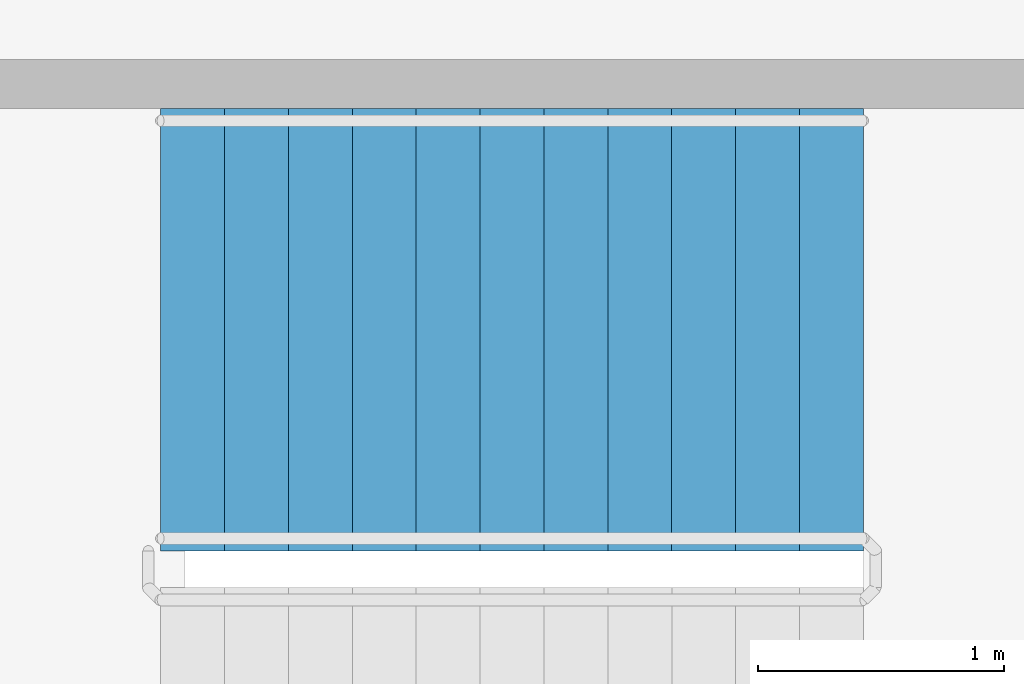
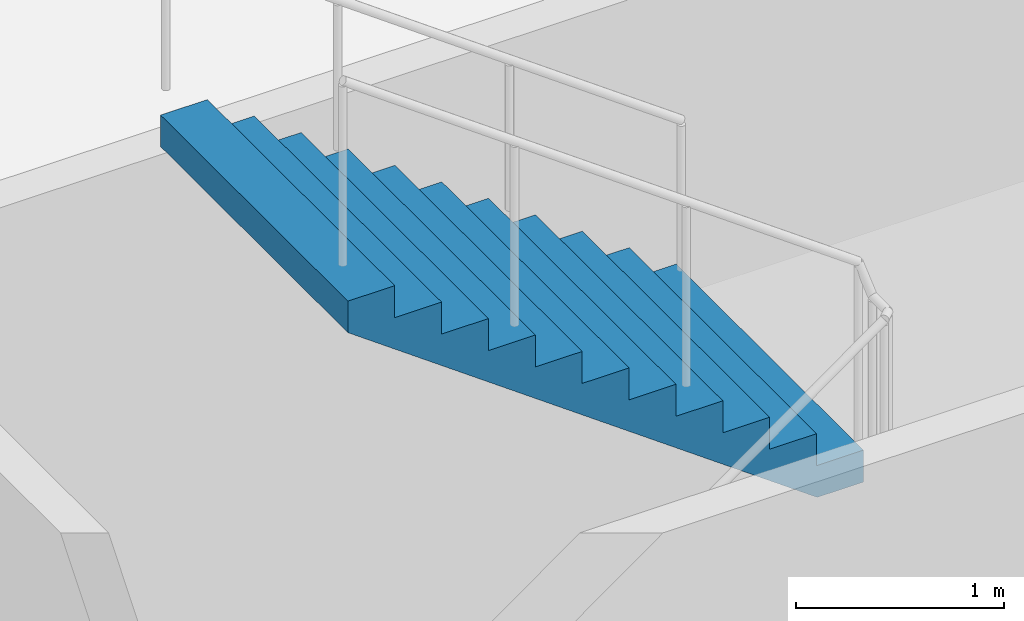
# One storey, part 29 of 49: 1 stair flight, 1 element without a shape of its own.
"""IFC4 building model written with IfcOpenShell, lengths in metres."""

from ifc_helpers import new_model, si_unit, direction, frame, origin, place, context, subcontext, project, spatial, faceted_brep, material, type_object, element, aggregate, save


model = new_model("IFC4")

# Units and contexts
model_context = context("Model", 3, precision=1e-05, world=origin(), true_north=direction((0.0, 1.0)))
body_context = subcontext(model_context, "Body", "Model", "MODEL_VIEW")
ifc_project = project(units=[si_unit("LENGTHUNIT", "METRE"), si_unit("AREAUNIT", "SQUARE_METRE"), si_unit("VOLUMEUNIT", "CUBIC_METRE"), si_unit("PLANEANGLEUNIT", "RADIAN"), si_unit("MASSUNIT", "GRAM", prefix="KILO")], contexts=[model_context])

# Site, building, storey
site_placement = place(None, origin())
site = spatial("IfcSite", under=ifc_project, at=site_placement, CompositionType="ELEMENT")
building_placement = place(site_placement, origin())
building = spatial("IfcBuilding", under=site, at=building_placement, Name="Ipe Terrace Towers", CompositionType="ELEMENT")
storey_placement = place(building_placement, frame((0.0, 0.0, 11.0)))
storey = spatial("IfcBuildingStorey", under=building, at=storey_placement, Name="L02", CompositionType="ELEMENT", Elevation=11.0)

# Stair, stair flight
ifc_material_1 = material(Name="Concrete C30/37", Category="concrete")
stair_type = type_object("IfcStairType", Name="Protected exit stair", PredefinedType="HALF_TURN_STAIR", material=ifc_material_1)
stair_placement = place(storey_placement, origin())
stair = element("IfcStair", 1, at=stair_placement, inside=storey, type_object=stair_type, Name="L02 Podium exit stair PS7", PredefinedType="HALF_TURN_STAIR")
ifc_material_2 = material(Name="Concrete C30/37", Category="concrete")
stair_flight_type = type_object("IfcStairFlightType", Name="Exit stair flight 1800", PredefinedType="STRAIGHT", material=ifc_material_2)
stair_flight_placement = place(storey_placement, frame((-63.330078125, 4.449951171875, 2.25), z_axis=(0.0, 0.0, 1.0), x_axis=(-1.0, 0.0, 0.0)))
stair_flight = element("IfcStairFlight", 2, at=stair_flight_placement, type_object=stair_flight_type, Name="PS7 flight 2", NumberOfRisers=12, NumberOfTreads=11, PredefinedType="STRAIGHT", RiserHeight=0.1875, TreadLength=0.26, context=body_context, shape_type="Brep", body=[
    faceted_brep([(0.25634765625, -0.89990234375, 0.0), (2.860107421875, -0.89990234375, 1.877685546875), (2.860107421875, -0.89990234375, 2.0625), (2.60009765625, -0.89990234375, 2.0625), (2.60009765625, -0.89990234375, 1.875), (2.340087890625, -0.89990234375, 1.875), (2.340087890625, -0.89990234375, 1.6875), (2.080078125, -0.89990234375, 1.6875), (2.080078125, -0.89990234375, 1.5), (1.820068359375, -0.89990234375, 1.5), (1.820068359375, -0.89990234375, 1.3125), (1.56005859375, -0.89990234375, 1.3125), (1.56005859375, -0.89990234375, 1.125), (1.300048828125, -0.89990234375, 1.125), (1.300048828125, -0.89990234375, 0.9375), (1.0400390625, -0.89990234375, 0.9375), (1.0400390625, -0.89990234375, 0.75), (0.780029296875, -0.89990234375, 0.75), (0.780029296875, -0.89990234375, 0.5625), (0.52001953125, -0.89990234375, 0.5625), (0.52001953125, -0.89990234375, 0.375), (0.260009765625, -0.89990234375, 0.375), (0.260009765625, -0.89990234375, 0.1875), (0.0, -0.89990234375, 0.1875), (0.0, -0.89990234375, 0.0), (0.0, 0.89990234375, 0.0), (0.0, 0.89990234375, 0.1875), (0.260009765625, 0.89990234375, 0.1875), (0.260009765625, 0.89990234375, 0.375), (0.52001953125, 0.89990234375, 0.375), (0.52001953125, 0.89990234375, 0.5625), (0.780029296875, 0.89990234375, 0.5625), (0.780029296875, 0.89990234375, 0.75), (1.0400390625, 0.89990234375, 0.75), (1.0400390625, 0.89990234375, 0.9375), (1.300048828125, 0.89990234375, 0.9375), (1.300048828125, 0.89990234375, 1.125), (1.56005859375, 0.89990234375, 1.125), (1.56005859375, 0.89990234375, 1.3125), (1.820068359375, 0.89990234375, 1.3125), (1.820068359375, 0.89990234375, 1.5), (2.080078125, 0.89990234375, 1.5), (2.080078125, 0.89990234375, 1.6875), (2.340087890625, 0.89990234375, 1.6875), (2.340087890625, 0.89990234375, 1.875), (2.60009765625, 0.89990234375, 1.875), (2.60009765625, 0.89990234375, 2.0625), (2.860107421875, 0.89990234375, 2.0625), (2.860107421875, 0.89990234375, 1.877685546875), (0.25634765625, 0.89990234375, 0.0), (0.0, -0.300048828125, 0.1875), (0.0, -0.1201171875, 0.1875), (0.0, -0.06005859375, 0.1875), (0.0, -0.030029296875, 0.1875), (0.0, -0.010009765625, 0.1875), (0.0, 0.0, 0.1875), (0.0, 0.010009765625, 0.1875), (0.0, 0.030029296875, 0.1875), (0.0, 0.06005859375, 0.1875), (0.0, 0.1201171875, 0.1875), (0.0, 0.300048828125, 0.1875), (0.0, 0.300048828125, 0.0), (0.0, 0.1201171875, 0.0), (0.0, 0.06005859375, 0.0), (0.0, 0.030029296875, 0.0), (0.0, 0.010009765625, 0.0), (0.0, 0.0, 0.0), (0.0, -0.010009765625, 0.0), (0.0, -0.030029296875, 0.0), (0.0, -0.06005859375, 0.0), (0.0, -0.1201171875, 0.0), (0.0, -0.300048828125, 0.0), (0.260009765625, -0.300048828125, 0.1875), (0.260009765625, -0.1201171875, 0.1875), (0.260009765625, -0.06005859375, 0.1875), (0.260009765625, -0.030029296875, 0.1875), (0.260009765625, -0.010009765625, 0.1875), (0.260009765625, 0.0, 0.1875), (0.260009765625, 0.010009765625, 0.1875), (0.260009765625, 0.030029296875, 0.1875), (0.260009765625, 0.06005859375, 0.1875), (0.260009765625, 0.1201171875, 0.1875), (0.260009765625, 0.300048828125, 0.1875), (0.260009765625, -0.300048828125, 0.375), (0.260009765625, -0.1201171875, 0.375), (0.260009765625, -0.06005859375, 0.375), (0.260009765625, -0.030029296875, 0.375), (0.260009765625, -0.010009765625, 0.375), (0.260009765625, 0.0, 0.375), (0.260009765625, 0.010009765625, 0.375), (0.260009765625, 0.030029296875, 0.375), (0.260009765625, 0.06005859375, 0.375), (0.260009765625, 0.1201171875, 0.375), (0.260009765625, 0.300048828125, 0.375), (0.52001953125, -0.300048828125, 0.375), (0.52001953125, -0.1201171875, 0.375), (0.52001953125, -0.06005859375, 0.375), (0.52001953125, -0.030029296875, 0.375), (0.52001953125, -0.010009765625, 0.375), (0.52001953125, 0.0, 0.375), (0.52001953125, 0.010009765625, 0.375), (0.52001953125, 0.030029296875, 0.375), (0.52001953125, 0.06005859375, 0.375), (0.52001953125, 0.1201171875, 0.375), (0.52001953125, 0.300048828125, 0.375), (0.52001953125, -0.300048828125, 0.5625), (0.52001953125, -0.1201171875, 0.5625), (0.52001953125, -0.06005859375, 0.5625), (0.52001953125, -0.030029296875, 0.5625), (0.52001953125, -0.010009765625, 0.5625), (0.52001953125, 0.0, 0.5625), (0.52001953125, 0.010009765625, 0.5625), (0.52001953125, 0.030029296875, 0.5625), (0.52001953125, 0.06005859375, 0.5625), (0.52001953125, 0.1201171875, 0.5625), (0.52001953125, 0.300048828125, 0.5625), (0.780029296875, -0.300048828125, 0.5625), (0.780029296875, -0.1201171875, 0.5625), (0.780029296875, -0.06005859375, 0.5625), (0.780029296875, -0.030029296875, 0.5625), (0.780029296875, -0.010009765625, 0.5625), (0.780029296875, 0.0, 0.5625), (0.780029296875, 0.010009765625, 0.5625), (0.780029296875, 0.030029296875, 0.5625), (0.780029296875, 0.06005859375, 0.5625), (0.780029296875, 0.1201171875, 0.5625), (0.780029296875, 0.300048828125, 0.5625), (0.780029296875, -0.300048828125, 0.75), (0.780029296875, -0.1201171875, 0.75), (0.780029296875, -0.06005859375, 0.75), (0.780029296875, -0.030029296875, 0.75), (0.780029296875, -0.010009765625, 0.75), (0.780029296875, 0.0, 0.75), (0.780029296875, 0.010009765625, 0.75), (0.780029296875, 0.030029296875, 0.75), (0.780029296875, 0.06005859375, 0.75), (0.780029296875, 0.1201171875, 0.75), (0.780029296875, 0.300048828125, 0.75), (1.0400390625, -0.300048828125, 0.75), (1.0400390625, -0.1201171875, 0.75), (1.0400390625, -0.06005859375, 0.75), (1.0400390625, -0.030029296875, 0.75), (1.0400390625, -0.010009765625, 0.75), (1.0400390625, 0.0, 0.75), (1.0400390625, 0.010009765625, 0.75), (1.0400390625, 0.030029296875, 0.75), (1.0400390625, 0.06005859375, 0.75), (1.0400390625, 0.1201171875, 0.75), (1.0400390625, 0.300048828125, 0.75), (1.0400390625, -0.300048828125, 0.9375), (1.0400390625, -0.1201171875, 0.9375), (1.0400390625, -0.06005859375, 0.9375), (1.0400390625, -0.030029296875, 0.9375), (1.0400390625, -0.010009765625, 0.9375), (1.0400390625, 0.0, 0.9375), (1.0400390625, 0.010009765625, 0.9375), (1.0400390625, 0.030029296875, 0.9375), (1.0400390625, 0.06005859375, 0.9375), (1.0400390625, 0.1201171875, 0.9375), (1.0400390625, 0.300048828125, 0.9375), (1.300048828125, -0.300048828125, 0.9375), (1.300048828125, -0.1201171875, 0.9375), (1.300048828125, -0.06005859375, 0.9375), (1.300048828125, -0.030029296875, 0.9375), (1.300048828125, -0.010009765625, 0.9375), (1.300048828125, 0.0, 0.9375), (1.300048828125, 0.010009765625, 0.9375), (1.300048828125, 0.030029296875, 0.9375), (1.300048828125, 0.06005859375, 0.9375), (1.300048828125, 0.1201171875, 0.9375), (1.300048828125, 0.300048828125, 0.9375), (1.300048828125, -0.300048828125, 1.125), (1.300048828125, -0.1201171875, 1.125), (1.300048828125, -0.06005859375, 1.125), (1.300048828125, -0.030029296875, 1.125), (1.300048828125, -0.010009765625, 1.125), (1.300048828125, 0.0, 1.125), (1.300048828125, 0.010009765625, 1.125), (1.300048828125, 0.030029296875, 1.125), (1.300048828125, 0.06005859375, 1.125), (1.300048828125, 0.1201171875, 1.125), (1.300048828125, 0.300048828125, 1.125), (1.56005859375, -0.300048828125, 1.125), (1.56005859375, -0.1201171875, 1.125), (1.56005859375, -0.06005859375, 1.125), (1.56005859375, -0.030029296875, 1.125), (1.56005859375, -0.010009765625, 1.125), (1.56005859375, 0.0, 1.125), (1.56005859375, 0.010009765625, 1.125), (1.56005859375, 0.030029296875, 1.125), (1.56005859375, 0.06005859375, 1.125), (1.56005859375, 0.1201171875, 1.125), (1.56005859375, 0.300048828125, 1.125), (1.56005859375, -0.300048828125, 1.3125), (1.56005859375, -0.1201171875, 1.3125), (1.56005859375, -0.06005859375, 1.3125), (1.56005859375, -0.030029296875, 1.3125), (1.56005859375, -0.010009765625, 1.3125), (1.56005859375, 0.0, 1.3125), (1.56005859375, 0.010009765625, 1.3125), (1.56005859375, 0.030029296875, 1.3125), (1.56005859375, 0.06005859375, 1.3125), (1.56005859375, 0.1201171875, 1.3125), (1.56005859375, 0.300048828125, 1.3125), (1.820068359375, -0.300048828125, 1.3125), (1.820068359375, -0.1201171875, 1.3125), (1.820068359375, -0.06005859375, 1.3125), (1.820068359375, -0.030029296875, 1.3125), (1.820068359375, -0.010009765625, 1.3125), (1.820068359375, 0.0, 1.3125), (1.820068359375, 0.010009765625, 1.3125), (1.820068359375, 0.030029296875, 1.3125), (1.820068359375, 0.06005859375, 1.3125), (1.820068359375, 0.1201171875, 1.3125), (1.820068359375, 0.300048828125, 1.3125), (1.820068359375, -0.300048828125, 1.5), (1.820068359375, -0.1201171875, 1.5), (1.820068359375, -0.06005859375, 1.5), (1.820068359375, -0.030029296875, 1.5), (1.820068359375, -0.010009765625, 1.5), (1.820068359375, 0.0, 1.5), (1.820068359375, 0.010009765625, 1.5), (1.820068359375, 0.030029296875, 1.5), (1.820068359375, 0.06005859375, 1.5), (1.820068359375, 0.1201171875, 1.5), (1.820068359375, 0.300048828125, 1.5), (2.080078125, -0.300048828125, 1.5), (2.080078125, -0.1201171875, 1.5), (2.080078125, -0.06005859375, 1.5), (2.080078125, -0.030029296875, 1.5), (2.080078125, -0.010009765625, 1.5), (2.080078125, 0.0, 1.5), (2.080078125, 0.010009765625, 1.5), (2.080078125, 0.030029296875, 1.5), (2.080078125, 0.06005859375, 1.5), (2.080078125, 0.1201171875, 1.5), (2.080078125, 0.300048828125, 1.5), (2.080078125, -0.300048828125, 1.6875), (2.080078125, -0.1201171875, 1.6875), (2.080078125, -0.06005859375, 1.6875), (2.080078125, -0.030029296875, 1.6875), (2.080078125, -0.010009765625, 1.6875), (2.080078125, 0.0, 1.6875), (2.080078125, 0.010009765625, 1.6875), (2.080078125, 0.030029296875, 1.6875), (2.080078125, 0.06005859375, 1.6875), (2.080078125, 0.1201171875, 1.6875), (2.080078125, 0.300048828125, 1.6875), (2.340087890625, -0.300048828125, 1.6875), (2.340087890625, -0.1201171875, 1.6875), (2.340087890625, -0.06005859375, 1.6875), (2.340087890625, -0.030029296875, 1.6875), (2.340087890625, -0.010009765625, 1.6875), (2.340087890625, 0.0, 1.6875), (2.340087890625, 0.010009765625, 1.6875), (2.340087890625, 0.030029296875, 1.6875), (2.340087890625, 0.06005859375, 1.6875), (2.340087890625, 0.1201171875, 1.6875), (2.340087890625, 0.300048828125, 1.6875), (2.340087890625, -0.300048828125, 1.875), (2.340087890625, -0.1201171875, 1.875), (2.340087890625, -0.06005859375, 1.875), (2.340087890625, -0.030029296875, 1.875), (2.340087890625, -0.010009765625, 1.875), (2.340087890625, 0.0, 1.875), (2.340087890625, 0.010009765625, 1.875), (2.340087890625, 0.030029296875, 1.875), (2.340087890625, 0.06005859375, 1.875), (2.340087890625, 0.1201171875, 1.875), (2.340087890625, 0.300048828125, 1.875), (2.60009765625, -0.300048828125, 1.875), (2.60009765625, -0.1201171875, 1.875), (2.60009765625, -0.06005859375, 1.875), (2.60009765625, -0.030029296875, 1.875), (2.60009765625, -0.010009765625, 1.875), (2.60009765625, 0.0, 1.875), (2.60009765625, 0.010009765625, 1.875), (2.60009765625, 0.030029296875, 1.875), (2.60009765625, 0.06005859375, 1.875), (2.60009765625, 0.1201171875, 1.875), (2.60009765625, 0.300048828125, 1.875), (2.60009765625, -0.300048828125, 2.0625), (2.60009765625, -0.1201171875, 2.0625), (2.60009765625, -0.06005859375, 2.0625), (2.60009765625, -0.030029296875, 2.0625), (2.60009765625, -0.010009765625, 2.0625), (2.60009765625, 0.0, 2.0625), (2.60009765625, 0.010009765625, 2.0625), (2.60009765625, 0.030029296875, 2.0625), (2.60009765625, 0.06005859375, 2.0625), (2.60009765625, 0.1201171875, 2.0625), (2.60009765625, 0.300048828125, 2.0625), (2.860107421875, -0.300048828125, 2.0625), (2.860107421875, -0.1201171875, 2.0625), (2.860107421875, -0.06005859375, 2.0625), (2.860107421875, -0.030029296875, 2.0625), (2.860107421875, -0.010009765625, 2.0625), (2.860107421875, 0.0, 2.0625), (2.860107421875, 0.010009765625, 2.0625), (2.860107421875, 0.030029296875, 2.0625), (2.860107421875, 0.06005859375, 2.0625), (2.860107421875, 0.1201171875, 2.0625), (2.860107421875, 0.300048828125, 2.0625), (2.860107421875, -0.300048828125, 1.877685546875), (2.860107421875, -0.1201171875, 1.877685546875), (2.860107421875, -0.06005859375, 1.877685546875), (2.860107421875, -0.030029296875, 1.877685546875), (2.860107421875, -0.010009765625, 1.877685546875), (2.860107421875, 0.0, 1.877685546875), (2.860107421875, 0.010009765625, 1.877685546875), (2.860107421875, 0.030029296875, 1.877685546875), (2.860107421875, 0.06005859375, 1.877685546875), (2.860107421875, 0.1201171875, 1.877685546875), (2.860107421875, 0.300048828125, 1.877685546875), (0.25634765625, -0.300048828125, 0.0), (0.25634765625, -0.1201171875, 0.0), (0.25634765625, -0.06005859375, 0.0), (0.25634765625, -0.030029296875, 0.0), (0.25634765625, -0.010009765625, 0.0), (0.25634765625, 0.0, 0.0), (0.25634765625, 0.010009765625, 0.0), (0.25634765625, 0.030029296875, 0.0), (0.25634765625, 0.06005859375, 0.0), (0.25634765625, 0.1201171875, 0.0), (0.25634765625, 0.300048828125, 0.0)], [[[0, 1, 2, 3, 4, 5, 6, 7, 8, 9, 10, 11, 12, 13, 14, 15, 16, 17, 18, 19, 20, 21, 22, 23, 24]], [[25, 26, 27, 28, 29, 30, 31, 32, 33, 34, 35, 36, 37, 38, 39, 40, 41, 42, 43, 44, 45, 46, 47, 48, 49]], [[23, 50, 51, 52, 53, 54, 55, 56, 57, 58, 59, 60, 26, 25, 61, 62, 63, 64, 65, 66, 67, 68, 69, 70, 71, 24]], [[22, 72, 73, 74, 75, 76, 77, 78, 79, 80, 81, 82, 27, 26, 60, 59, 58, 57, 56, 55, 54, 53, 52, 51, 50, 23]], [[21, 83, 84, 85, 86, 87, 88, 89, 90, 91, 92, 93, 28, 27, 82, 81, 80, 79, 78, 77, 76, 75, 74, 73, 72, 22]], [[20, 94, 95, 96, 97, 98, 99, 100, 101, 102, 103, 104, 29, 28, 93, 92, 91, 90, 89, 88, 87, 86, 85, 84, 83, 21]], [[19, 105, 106, 107, 108, 109, 110, 111, 112, 113, 114, 115, 30, 29, 104, 103, 102, 101, 100, 99, 98, 97, 96, 95, 94, 20]], [[18, 116, 117, 118, 119, 120, 121, 122, 123, 124, 125, 126, 31, 30, 115, 114, 113, 112, 111, 110, 109, 108, 107, 106, 105, 19]], [[17, 127, 128, 129, 130, 131, 132, 133, 134, 135, 136, 137, 32, 31, 126, 125, 124, 123, 122, 121, 120, 119, 118, 117, 116, 18]], [[16, 138, 139, 140, 141, 142, 143, 144, 145, 146, 147, 148, 33, 32, 137, 136, 135, 134, 133, 132, 131, 130, 129, 128, 127, 17]], [[15, 149, 150, 151, 152, 153, 154, 155, 156, 157, 158, 159, 34, 33, 148, 147, 146, 145, 144, 143, 142, 141, 140, 139, 138, 16]], [[14, 160, 161, 162, 163, 164, 165, 166, 167, 168, 169, 170, 35, 34, 159, 158, 157, 156, 155, 154, 153, 152, 151, 150, 149, 15]], [[13, 171, 172, 173, 174, 175, 176, 177, 178, 179, 180, 181, 36, 35, 170, 169, 168, 167, 166, 165, 164, 163, 162, 161, 160, 14]], [[12, 182, 183, 184, 185, 186, 187, 188, 189, 190, 191, 192, 37, 36, 181, 180, 179, 178, 177, 176, 175, 174, 173, 172, 171, 13]], [[11, 193, 194, 195, 196, 197, 198, 199, 200, 201, 202, 203, 38, 37, 192, 191, 190, 189, 188, 187, 186, 185, 184, 183, 182, 12]], [[10, 204, 205, 206, 207, 208, 209, 210, 211, 212, 213, 214, 39, 38, 203, 202, 201, 200, 199, 198, 197, 196, 195, 194, 193, 11]], [[9, 215, 216, 217, 218, 219, 220, 221, 222, 223, 224, 225, 40, 39, 214, 213, 212, 211, 210, 209, 208, 207, 206, 205, 204, 10]], [[8, 226, 227, 228, 229, 230, 231, 232, 233, 234, 235, 236, 41, 40, 225, 224, 223, 222, 221, 220, 219, 218, 217, 216, 215, 9]], [[7, 237, 238, 239, 240, 241, 242, 243, 244, 245, 246, 247, 42, 41, 236, 235, 234, 233, 232, 231, 230, 229, 228, 227, 226, 8]], [[6, 248, 249, 250, 251, 252, 253, 254, 255, 256, 257, 258, 43, 42, 247, 246, 245, 244, 243, 242, 241, 240, 239, 238, 237, 7]], [[5, 259, 260, 261, 262, 263, 264, 265, 266, 267, 268, 269, 44, 43, 258, 257, 256, 255, 254, 253, 252, 251, 250, 249, 248, 6]], [[4, 270, 271, 272, 273, 274, 275, 276, 277, 278, 279, 280, 45, 44, 269, 268, 267, 266, 265, 264, 263, 262, 261, 260, 259, 5]], [[3, 281, 282, 283, 284, 285, 286, 287, 288, 289, 290, 291, 46, 45, 280, 279, 278, 277, 276, 275, 274, 273, 272, 271, 270, 4]], [[2, 292, 293, 294, 295, 296, 297, 298, 299, 300, 301, 302, 47, 46, 291, 290, 289, 288, 287, 286, 285, 284, 283, 282, 281, 3]], [[1, 303, 304, 305, 306, 307, 308, 309, 310, 311, 312, 313, 48, 47, 302, 301, 300, 299, 298, 297, 296, 295, 294, 293, 292, 2]], [[0, 314, 315, 316, 317, 318, 319, 320, 321, 322, 323, 324, 49, 48, 313, 312, 311, 310, 309, 308, 307, 306, 305, 304, 303, 1]], [[24, 71, 70, 69, 68, 67, 66, 65, 64, 63, 62, 61, 25, 49, 324, 323, 322, 321, 320, 319, 318, 317, 316, 315, 314, 0]]]),
])
aggregate(stair, [stair_flight])

save(model, "model.ifc")
